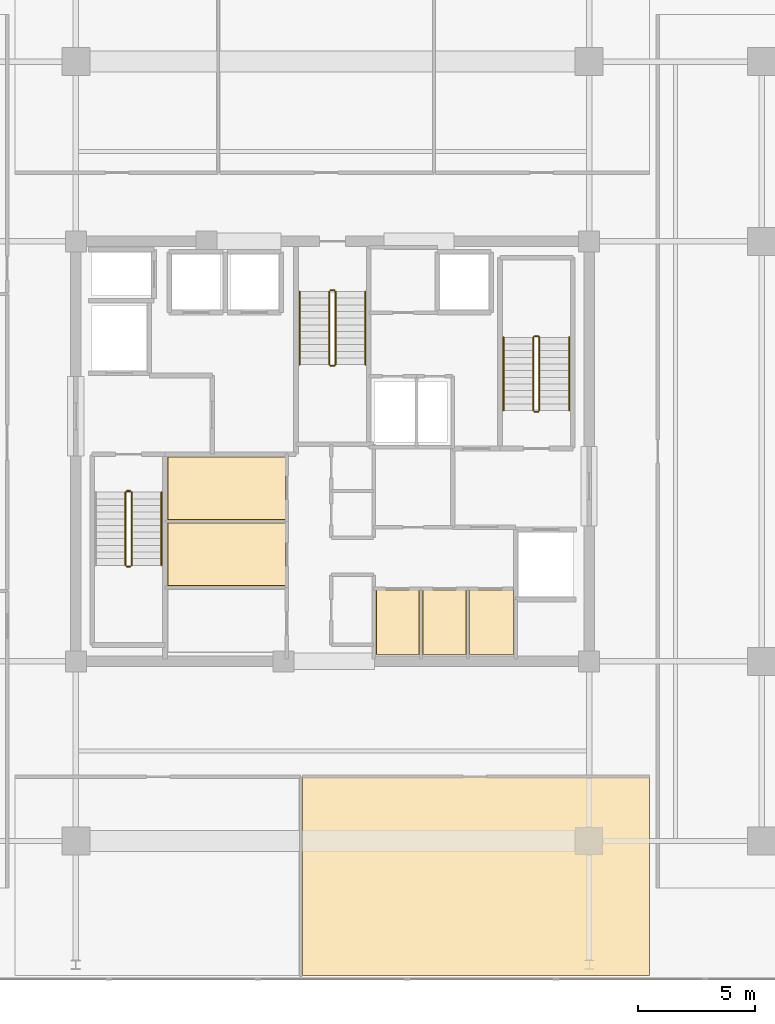
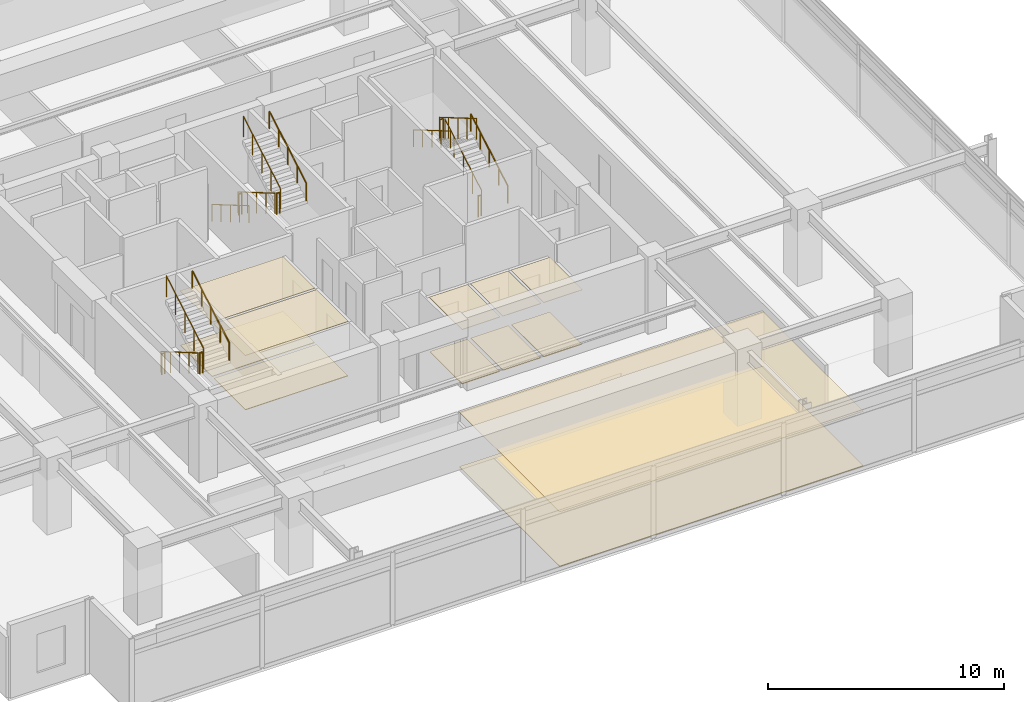
# One storey, part 20 of 21: 17 railings, 12 coverings.
"""IFC4 building model written with IfcOpenShell, lengths in metres."""

from ifc_helpers import new_model, si_unit, direction, frame, origin, origin_2d, place, context, subcontext, project, spatial, polyline, circle, outline, extrude, material, layer, layer_set, type_object, element, save


model = new_model("IFC4")

# Units and contexts
model_context = context("Model", 3, precision=1e-05, world=origin(), true_north=direction((0.0, 1.0)))
body_context = subcontext(model_context, "Body", "Model", "MODEL_VIEW")
ifc_project = project(units=[si_unit("LENGTHUNIT", "METRE"), si_unit("AREAUNIT", "SQUARE_METRE"), si_unit("VOLUMEUNIT", "CUBIC_METRE"), si_unit("PLANEANGLEUNIT", "RADIAN"), si_unit("MASSUNIT", "GRAM", prefix="KILO")], contexts=[model_context])

# Site, building, storey
site_placement = place(None, origin())
site = spatial("IfcSite", under=ifc_project, at=site_placement, CompositionType="ELEMENT")
building_placement = place(site_placement, origin())
building = spatial("IfcBuilding", under=site, at=building_placement, Name="Kovane Verandah Tower", CompositionType="ELEMENT")
storey_placement = place(building_placement, frame((0.0, 0.0, 247.199951171875)))
storey = spatial("IfcBuildingStorey", under=building, at=storey_placement, Name="L57", CompositionType="ELEMENT", Elevation=247.199951171875)

# Coverings
ifc_material_1 = material(Name="Perforated Acoustic Mineral-Fibre Ceiling Tile", Category="gypsum")
ifc_layer_1 = layer(ifc_material_1, 0.02490234375)
ifc_layer_set_1 = layer_set([ifc_layer_1], Name="Perforated Acoustic Mineral-Fibre Ceiling Tile")
covering_type_1 = type_object("IfcCoveringType", Name="CV-CEIL-25", PredefinedType="CEILING", material=ifc_layer_set_1)
covering_1_placement = place(storey_placement, frame((0.0, 0.0, 2.824951171875)))
element("IfcCovering", 1, at=covering_1_placement, inside=storey, type_object=covering_type_1, Name="L57 First Aid and Wellness Room Acoustic Ceiling", PredefinedType="CEILING", context=body_context, shape_type="SweptSolid", body=[
    extrude(outline(polyline([(32.93505859375, 21.72509765625), (37.9951171875, 21.72509765625), (37.9951171875, 24.43505859375), (32.93505859375, 24.43505859375), (32.93505859375, 21.72509765625)])), origin(), (0.0, 0.0, 1.0), 0.025146484375),
])
covering_2_placement = place(storey_placement, frame((0.0, 0.0, 2.824951171875)))
element("IfcCovering", 2, at=covering_2_placement, inside=storey, type_object=covering_type_1, Name="L57 Tea and Copy Hub Acoustic Ceiling", PredefinedType="CEILING", context=body_context, shape_type="SweptSolid", body=[
    extrude(outline(polyline([(32.93505859375, 24.56494140625), (37.9951171875, 24.56494140625), (37.9951171875, 27.264892578125), (32.93505859375, 27.264892578125), (32.93505859375, 24.56494140625)])), origin(), (0.0, 0.0, 1.0), 0.025146484375),
])
covering_3_placement = place(storey_placement, frame((0.0, 0.0, 2.824951171875)))
element("IfcCovering", 3, at=covering_3_placement, inside=storey, type_object=covering_type_1, Name="L57 Mail and Copy Room Acoustic Ceiling", PredefinedType="CEILING", context=body_context, shape_type="SweptSolid", body=[
    extrude(outline(polyline([(41.864990234375, 18.784912109375), (43.735107421875, 18.784912109375), (43.735107421875, 21.56494140625), (41.864990234375, 21.56494140625), (41.864990234375, 18.784912109375)])), origin(), (0.0, 0.0, 1.0), 0.025146484375),
])
covering_4_placement = place(storey_placement, frame((0.0, 0.0, 2.824951171875)))
element("IfcCovering", 4, at=covering_4_placement, inside=storey, type_object=covering_type_1, Name="L57 First Aid Room Acoustic Ceiling", PredefinedType="CEILING", context=body_context, shape_type="SweptSolid", body=[
    extrude(outline(polyline([(43.864990234375, 18.784912109375), (45.735107421875, 18.784912109375), (45.735107421875, 21.56494140625), (43.864990234375, 21.56494140625), (43.864990234375, 18.784912109375)])), origin(), (0.0, 0.0, 1.0), 0.025146484375),
])
covering_5_placement = place(storey_placement, frame((0.0, 0.0, 2.824951171875)))
element("IfcCovering", 5, at=covering_5_placement, inside=storey, type_object=covering_type_1, Name="L57 Quiet Wellness Room Acoustic Ceiling", PredefinedType="CEILING", context=body_context, shape_type="SweptSolid", body=[
    extrude(outline(polyline([(45.864990234375, 18.784912109375), (47.764892578125, 18.784912109375), (47.764892578125, 21.56494140625), (45.864990234375, 21.56494140625), (45.864990234375, 18.784912109375)])), origin(), (0.0, 0.0, 1.0), 0.025146484375),
])
covering_6_placement = place(storey_placement, frame((0.0, 0.0, 2.824951171875)))
element("IfcCovering", 6, at=covering_6_placement, inside=storey, type_object=covering_type_1, Name="L57 Open Plan Office S2 Acoustic Ceiling", PredefinedType="CEILING", context=body_context, shape_type="SweptSolid", body=[
    extrude(outline(polyline([(38.7099609375, 5.03173828125), (53.60009765625, 5.03173828125), (53.60009765625, 13.550048828125), (38.7099609375, 13.550048828125), (38.7099609375, 5.03173828125)])), origin(), (0.0, 0.0, 1.0), 0.025146484375),
])
ifc_material_2 = material(Name="Polished Terrazzo and Raised-Access Carpet Tile Finish", Category="concrete")
ifc_layer_2 = layer(ifc_material_2, 0.030029296875)
ifc_layer_set_2 = layer_set([ifc_layer_2], Name="Polished Terrazzo and Raised-Access Carpet Tile Finish")
covering_type_2 = type_object("IfcCoveringType", Name="CV-FLOR-30", PredefinedType="FLOORING", material=ifc_layer_set_2)
covering_7_placement = place(storey_placement, origin())
element("IfcCovering", 7, at=covering_7_placement, inside=storey, type_object=covering_type_2, Name="L57 First Aid and Wellness Room Floor Finish", PredefinedType="FLOORING", context=body_context, shape_type="SweptSolid", body=[
    extrude(outline(polyline([(32.949951171875, 21.739990234375), (37.97998046875, 21.739990234375), (37.97998046875, 24.419921875), (32.949951171875, 24.419921875), (32.949951171875, 21.739990234375)])), origin(), (0.0, 0.0, 1.0), 0.030029296875),
])
covering_8_placement = place(storey_placement, origin())
element("IfcCovering", 8, at=covering_8_placement, inside=storey, type_object=covering_type_2, Name="L57 Tea and Copy Hub Floor Finish", PredefinedType="FLOORING", context=body_context, shape_type="SweptSolid", body=[
    extrude(outline(polyline([(32.949951171875, 24.580078125), (37.97998046875, 24.580078125), (37.97998046875, 27.25), (32.949951171875, 27.25), (32.949951171875, 24.580078125)])), origin(), (0.0, 0.0, 1.0), 0.030029296875),
])
covering_9_placement = place(storey_placement, origin())
element("IfcCovering", 9, at=covering_9_placement, inside=storey, type_object=covering_type_2, Name="L57 Mail and Copy Room Floor Finish", PredefinedType="FLOORING", context=body_context, shape_type="SweptSolid", body=[
    extrude(outline(polyline([(41.8798828125, 18.800048828125), (43.719970703125, 18.800048828125), (43.719970703125, 21.550048828125), (41.8798828125, 21.550048828125), (41.8798828125, 18.800048828125)])), origin(), (0.0, 0.0, 1.0), 0.030029296875),
])
covering_10_placement = place(storey_placement, origin())
element("IfcCovering", 10, at=covering_10_placement, inside=storey, type_object=covering_type_2, Name="L57 First Aid Room Floor Finish", PredefinedType="FLOORING", context=body_context, shape_type="SweptSolid", body=[
    extrude(outline(polyline([(43.8798828125, 18.800048828125), (45.719970703125, 18.800048828125), (45.719970703125, 21.550048828125), (43.8798828125, 21.550048828125), (43.8798828125, 18.800048828125)])), origin(), (0.0, 0.0, 1.0), 0.030029296875),
])
covering_11_placement = place(storey_placement, origin())
element("IfcCovering", 11, at=covering_11_placement, inside=storey, type_object=covering_type_2, Name="L57 Quiet Wellness Room Floor Finish", PredefinedType="FLOORING", context=body_context, shape_type="SweptSolid", body=[
    extrude(outline(polyline([(45.8798828125, 18.800048828125), (47.75, 18.800048828125), (47.75, 21.550048828125), (45.8798828125, 21.550048828125), (45.8798828125, 18.800048828125)])), origin(), (0.0, 0.0, 1.0), 0.030029296875),
])
covering_12_placement = place(storey_placement, origin())
element("IfcCovering", 12, at=covering_12_placement, inside=storey, type_object=covering_type_2, Name="L57 Open Plan Office S2 Floor Finish", PredefinedType="FLOORING", context=body_context, shape_type="SweptSolid", body=[
    extrude(outline(polyline([(38.7099609375, 5.03173828125), (53.60009765625, 5.03173828125), (53.60009765625, 13.550048828125), (38.7099609375, 13.550048828125), (38.7099609375, 5.03173828125)])), origin(), (0.0, 0.0, 1.0), 0.030029296875),
])

# Railings
ifc_material_3 = material(Name="Brushed Stainless Steel Handrail", Category="steel")
railing_type_1 = type_object("IfcRailingType", Name="RL-HAND-920", PredefinedType="HANDRAIL", material=ifc_material_3)
for number, where, name in (
    (13, (32.669921875, 22.614990234375, 2.166748046875), "L57 ST-01 stair handrail 2"),
    (14, (50.14990234375, 29.25, 0.166748046875), "L57 ST-02 stair handrail 1"),
):
    element("IfcRailing", number, at=place(storey_placement, frame(where)), inside=storey, type_object=railing_type_1, Name=name, PredefinedType="HANDRAIL", context=body_context, shape_type="SweptSolid", body=[
        extrude(circle(Radius=0.02392578125, at=origin_2d()), frame((0.0, 0.0, 0.8759765625), z_axis=(0.0, 0.863239559939, 0.504794475164), x_axis=(-1.0, 0.0, 0.0)), (0.0, 0.0, 1.0), 3.631591796875),
        extrude(circle(Radius=0.02099609375, at=origin_2d()), origin(), (0.0, 0.0, 1.0), 0.851806640625),
        extrude(circle(Radius=0.02099609375, at=origin_2d()), frame((0.0, 0.78369140625, 0.458251953125)), (0.0, 0.0, 1.0), 0.851806640625),
        extrude(circle(Radius=0.02099609375, at=origin_2d()), frame((0.0, 1.5673828125, 0.91650390625)), (0.0, 0.0, 1.0), 0.851806640625),
        extrude(circle(Radius=0.02099609375, at=origin_2d()), frame((0.0, 2.351318359375, 1.375)), (0.0, 0.0, 1.0), 0.851806640625),
        extrude(circle(Radius=0.02099609375, at=origin_2d()), frame((0.0, 3.135009765625, 1.833251953125)), (0.0, 0.0, 1.0), 0.851806640625),
    ])
for number, where, name in (
    (15, (47.330078125, 32.385009765625, 2.166748046875), "L57 ST-02 stair handrail 2"),
    (16, (38.590087890625, 34.35009765625, 0.166748046875), "L57 ST-03 stair handrail 1"),
):
    element("IfcRailing", number, at=place(storey_placement, frame(where)), inside=storey, type_object=railing_type_1, Name=name, PredefinedType="HANDRAIL", context=body_context, shape_type="SweptSolid", body=[
        extrude(circle(Radius=0.02392578125, at=origin_2d()), frame((0.0, 0.0, 0.8759765625), z_axis=(0.0, -0.863239559939, 0.504794475164), x_axis=(1.0, 0.0, 0.0)), (0.0, 0.0, 1.0), 3.631591796875),
        extrude(circle(Radius=0.02099609375, at=origin_2d()), origin(), (0.0, 0.0, 1.0), 0.851806640625),
        extrude(circle(Radius=0.02099609375, at=origin_2d()), frame((0.0, -0.78369140625, 0.458251953125)), (0.0, 0.0, 1.0), 0.851806640625),
        extrude(circle(Radius=0.02099609375, at=origin_2d()), frame((0.0, -1.5673828125, 0.91650390625)), (0.0, 0.0, 1.0), 0.851806640625),
        extrude(circle(Radius=0.02099609375, at=origin_2d()), frame((0.0, -2.351318359375, 1.375)), (0.0, 0.0, 1.0), 0.851806640625),
        extrude(circle(Radius=0.02099609375, at=origin_2d()), frame((0.0, -3.135009765625, 1.833251953125)), (0.0, 0.0, 1.0), 0.851806640625),
    ])
railing_1_placement = place(storey_placement, frame((41.409912109375, 31.215087890625, 2.166748046875)))
element("IfcRailing", 17, at=railing_1_placement, inside=storey, type_object=railing_type_1, Name="L57 ST-03 stair handrail 2", PredefinedType="HANDRAIL", context=body_context, shape_type="SweptSolid", body=[
    extrude(circle(Radius=0.02392578125, at=origin_2d()), frame((0.0, 0.0, 0.8759765625), z_axis=(0.0, 0.863239559939, 0.504794475164), x_axis=(-1.0, 0.0, 0.0)), (0.0, 0.0, 1.0), 3.631591796875),
    extrude(circle(Radius=0.02099609375, at=origin_2d()), origin(), (0.0, 0.0, 1.0), 0.851806640625),
    extrude(circle(Radius=0.02099609375, at=origin_2d()), frame((0.0, 0.78369140625, 0.458251953125)), (0.0, 0.0, 1.0), 0.851806640625),
    extrude(circle(Radius=0.02099609375, at=origin_2d()), frame((0.0, 1.5673828125, 0.91650390625)), (0.0, 0.0, 1.0), 0.851806640625),
    extrude(circle(Radius=0.02099609375, at=origin_2d()), frame((0.0, 2.351318359375, 1.375)), (0.0, 0.0, 1.0), 0.851806640625),
    extrude(circle(Radius=0.02099609375, at=origin_2d()), frame((0.0, 3.135009765625, 1.833251953125)), (0.0, 0.0, 1.0), 0.851806640625),
])
ifc_material_4 = material(Name="Painted Steel Stairwell Guardrail", Category="steel")
railing_type_2 = type_object("IfcRailingType", Name="RL-STGUARD-1120", PredefinedType="GUARDRAIL", material=ifc_material_4)
railing_2_placement = place(storey_placement, frame((31.1298828125, 25.75, 0.166748046875)))
element("IfcRailing", 18, at=railing_2_placement, inside=storey, type_object=railing_type_2, Name="L57 ST-01 stair guard 1", PredefinedType="GUARDRAIL", context=body_context, shape_type="SweptSolid", body=[
    extrude(circle(Radius=0.02392578125, at=origin_2d()), frame((0.0, 0.0, 1.076171875), z_axis=(0.0, -0.863239559939, 0.504794475164), x_axis=(1.0, 0.0, 0.0)), (0.0, 0.0, 1.0), 3.631591796875),
    extrude(circle(Radius=0.02099609375, at=origin_2d()), origin(), (0.0, 0.0, 1.0), 1.052001953125),
    extrude(circle(Radius=0.02099609375, at=origin_2d()), frame((0.0, -0.78369140625, 0.458251953125)), (0.0, 0.0, 1.0), 1.052001953125),
    extrude(circle(Radius=0.02099609375, at=origin_2d()), frame((0.0, -1.5673828125, 0.91650390625)), (0.0, 0.0, 1.0), 1.052001953125),
    extrude(circle(Radius=0.02099609375, at=origin_2d()), frame((0.0, -2.351318359375, 1.375)), (0.0, 0.0, 1.0), 1.052001953125),
    extrude(circle(Radius=0.02099609375, at=origin_2d()), frame((0.0, -3.135009765625, 1.833251953125)), (0.0, 0.0, 1.0), 1.052001953125),
])
railing_3_placement = place(storey_placement, frame((31.179931640625, 22.56494140625, 2.0)))
element("IfcRailing", 19, at=railing_3_placement, inside=storey, type_object=railing_type_2, Name="L57 ST-01 stair guard 2", PredefinedType="GUARDRAIL", context=body_context, shape_type="SweptSolid", body=[
    extrude(circle(Radius=0.02392578125, at=origin_2d()), frame((0.0, 0.0, 1.076171875), z_axis=(1.0, 0.0, 0.0), x_axis=(0.0, 1.0, 0.0)), (0.0, 0.0, 1.0), 0.16015625),
    extrude(circle(Radius=0.02099609375, at=origin_2d()), origin(), (0.0, 0.0, 1.0), 1.052001953125),
    extrude(circle(Radius=0.02099609375, at=origin_2d()), frame((0.16015625, 0.0, 0.0)), (0.0, 0.0, 1.0), 1.052001953125),
])
railing_4_placement = place(storey_placement, frame((31.389892578125, 22.614990234375, 2.166748046875)))
element("IfcRailing", 20, at=railing_4_placement, inside=storey, type_object=railing_type_2, Name="L57 ST-01 stair guard 3", PredefinedType="GUARDRAIL", context=body_context, shape_type="SweptSolid", body=[
    extrude(circle(Radius=0.02392578125, at=origin_2d()), frame((0.0, 0.0, 1.076171875), z_axis=(0.0, 0.863239559939, 0.504794475164), x_axis=(-1.0, 0.0, 0.0)), (0.0, 0.0, 1.0), 3.631591796875),
    extrude(circle(Radius=0.02099609375, at=origin_2d()), origin(), (0.0, 0.0, 1.0), 1.052001953125),
    extrude(circle(Radius=0.02099609375, at=origin_2d()), frame((0.0, 0.78369140625, 0.458251953125)), (0.0, 0.0, 1.0), 1.052001953125),
    extrude(circle(Radius=0.02099609375, at=origin_2d()), frame((0.0, 1.5673828125, 0.91650390625)), (0.0, 0.0, 1.0), 1.052001953125),
    extrude(circle(Radius=0.02099609375, at=origin_2d()), frame((0.0, 2.351318359375, 1.375)), (0.0, 0.0, 1.0), 1.052001953125),
    extrude(circle(Radius=0.02099609375, at=origin_2d()), frame((0.0, 3.135009765625, 1.833251953125)), (0.0, 0.0, 1.0), 1.052001953125),
])
railing_5_placement = place(storey_placement, frame((31.179931640625, 25.800048828125, 0.0)))
element("IfcRailing", 21, at=railing_5_placement, inside=storey, type_object=railing_type_2, Name="L57 ST-01 stair guard 4", PredefinedType="GUARDRAIL", context=body_context, shape_type="SweptSolid", body=[
    extrude(circle(Radius=0.02392578125, at=origin_2d()), frame((0.0, 0.0, 1.076171875), z_axis=(1.0, 0.0, 0.0), x_axis=(0.0, 1.0, 0.0)), (0.0, 0.0, 1.0), 0.16015625),
    extrude(circle(Radius=0.02099609375, at=origin_2d()), origin(), (0.0, 0.0, 1.0), 1.052001953125),
    extrude(circle(Radius=0.02099609375, at=origin_2d()), frame((0.16015625, 0.0, 0.0)), (0.0, 0.0, 1.0), 1.052001953125),
])
railing_6_placement = place(storey_placement, frame((48.8701171875, 29.25, 0.166748046875)))
element("IfcRailing", 22, at=railing_6_placement, inside=storey, type_object=railing_type_2, Name="L57 ST-02 stair guard 1", PredefinedType="GUARDRAIL", context=body_context, shape_type="SweptSolid", body=[
    extrude(circle(Radius=0.02392578125, at=origin_2d()), frame((0.0, 0.0, 1.076171875), z_axis=(0.0, 0.863239559939, 0.504794475164), x_axis=(-1.0, 0.0, 0.0)), (0.0, 0.0, 1.0), 3.631591796875),
    extrude(circle(Radius=0.02099609375, at=origin_2d()), origin(), (0.0, 0.0, 1.0), 1.052001953125),
    extrude(circle(Radius=0.02099609375, at=origin_2d()), frame((0.0, 0.78369140625, 0.458251953125)), (0.0, 0.0, 1.0), 1.052001953125),
    extrude(circle(Radius=0.02099609375, at=origin_2d()), frame((0.0, 1.5673828125, 0.91650390625)), (0.0, 0.0, 1.0), 1.052001953125),
    extrude(circle(Radius=0.02099609375, at=origin_2d()), frame((0.0, 2.351318359375, 1.375)), (0.0, 0.0, 1.0), 1.052001953125),
    extrude(circle(Radius=0.02099609375, at=origin_2d()), frame((0.0, 3.135009765625, 1.833251953125)), (0.0, 0.0, 1.0), 1.052001953125),
])
railing_7_placement = place(storey_placement, frame((48.820068359375, 32.43505859375, 2.0)))
element("IfcRailing", 23, at=railing_7_placement, inside=storey, type_object=railing_type_2, Name="L57 ST-02 stair guard 2", PredefinedType="GUARDRAIL", context=body_context, shape_type="SweptSolid", body=[
    extrude(circle(Radius=0.02392578125, at=origin_2d()), frame((0.0, 0.0, 1.076171875), z_axis=(-1.0, 0.0, 0.0), x_axis=(0.0, -1.0, 0.0)), (0.0, 0.0, 1.0), 0.16015625),
    extrude(circle(Radius=0.02099609375, at=origin_2d()), origin(), (0.0, 0.0, 1.0), 1.052001953125),
    extrude(circle(Radius=0.02099609375, at=origin_2d()), frame((-0.16015625, 0.0, 0.0)), (0.0, 0.0, 1.0), 1.052001953125),
])
railing_8_placement = place(storey_placement, frame((48.610107421875, 32.385009765625, 2.166748046875)))
element("IfcRailing", 24, at=railing_8_placement, inside=storey, type_object=railing_type_2, Name="L57 ST-02 stair guard 3", PredefinedType="GUARDRAIL", context=body_context, shape_type="SweptSolid", body=[
    extrude(circle(Radius=0.02392578125, at=origin_2d()), frame((0.0, 0.0, 1.076171875), z_axis=(0.0, -0.863239559939, 0.504794475164), x_axis=(1.0, 0.0, 0.0)), (0.0, 0.0, 1.0), 3.631591796875),
    extrude(circle(Radius=0.02099609375, at=origin_2d()), origin(), (0.0, 0.0, 1.0), 1.052001953125),
    extrude(circle(Radius=0.02099609375, at=origin_2d()), frame((0.0, -0.78369140625, 0.458251953125)), (0.0, 0.0, 1.0), 1.052001953125),
    extrude(circle(Radius=0.02099609375, at=origin_2d()), frame((0.0, -1.5673828125, 0.91650390625)), (0.0, 0.0, 1.0), 1.052001953125),
    extrude(circle(Radius=0.02099609375, at=origin_2d()), frame((0.0, -2.351318359375, 1.375)), (0.0, 0.0, 1.0), 1.052001953125),
    extrude(circle(Radius=0.02099609375, at=origin_2d()), frame((0.0, -3.135009765625, 1.833251953125)), (0.0, 0.0, 1.0), 1.052001953125),
])
railing_9_placement = place(storey_placement, frame((48.820068359375, 29.199951171875, 0.0)))
element("IfcRailing", 25, at=railing_9_placement, inside=storey, type_object=railing_type_2, Name="L57 ST-02 stair guard 4", PredefinedType="GUARDRAIL", context=body_context, shape_type="SweptSolid", body=[
    extrude(circle(Radius=0.02392578125, at=origin_2d()), frame((0.0, 0.0, 1.076171875), z_axis=(-1.0, 0.0, 0.0), x_axis=(0.0, -1.0, 0.0)), (0.0, 0.0, 1.0), 0.16015625),
    extrude(circle(Radius=0.02099609375, at=origin_2d()), origin(), (0.0, 0.0, 1.0), 1.052001953125),
    extrude(circle(Radius=0.02099609375, at=origin_2d()), frame((-0.16015625, 0.0, 0.0)), (0.0, 0.0, 1.0), 1.052001953125),
])
railing_10_placement = place(storey_placement, frame((39.8701171875, 34.35009765625, 0.166748046875)))
element("IfcRailing", 26, at=railing_10_placement, inside=storey, type_object=railing_type_2, Name="L57 ST-03 stair guard 1", PredefinedType="GUARDRAIL", context=body_context, shape_type="SweptSolid", body=[
    extrude(circle(Radius=0.02392578125, at=origin_2d()), frame((0.0, 0.0, 1.076171875), z_axis=(0.0, -0.863239559939, 0.504794475164), x_axis=(1.0, 0.0, 0.0)), (0.0, 0.0, 1.0), 3.631591796875),
    extrude(circle(Radius=0.02099609375, at=origin_2d()), origin(), (0.0, 0.0, 1.0), 1.052001953125),
    extrude(circle(Radius=0.02099609375, at=origin_2d()), frame((0.0, -0.78369140625, 0.458251953125)), (0.0, 0.0, 1.0), 1.052001953125),
    extrude(circle(Radius=0.02099609375, at=origin_2d()), frame((0.0, -1.5673828125, 0.91650390625)), (0.0, 0.0, 1.0), 1.052001953125),
    extrude(circle(Radius=0.02099609375, at=origin_2d()), frame((0.0, -2.351318359375, 1.375)), (0.0, 0.0, 1.0), 1.052001953125),
    extrude(circle(Radius=0.02099609375, at=origin_2d()), frame((0.0, -3.135009765625, 1.833251953125)), (0.0, 0.0, 1.0), 1.052001953125),
])
railing_11_placement = place(storey_placement, frame((39.919921875, 31.1650390625, 2.0)))
element("IfcRailing", 27, at=railing_11_placement, inside=storey, type_object=railing_type_2, Name="L57 ST-03 stair guard 2", PredefinedType="GUARDRAIL", context=body_context, shape_type="SweptSolid", body=[
    extrude(circle(Radius=0.02392578125, at=origin_2d()), frame((0.0, 0.0, 1.076171875), z_axis=(1.0, 0.0, 0.0), x_axis=(0.0, 1.0, 0.0)), (0.0, 0.0, 1.0), 0.16015625),
    extrude(circle(Radius=0.02099609375, at=origin_2d()), origin(), (0.0, 0.0, 1.0), 1.052001953125),
    extrude(circle(Radius=0.02099609375, at=origin_2d()), frame((0.16015625, 0.0, 0.0)), (0.0, 0.0, 1.0), 1.052001953125),
])
railing_12_placement = place(storey_placement, frame((40.1298828125, 31.215087890625, 2.166748046875)))
element("IfcRailing", 28, at=railing_12_placement, inside=storey, type_object=railing_type_2, Name="L57 ST-03 stair guard 3", PredefinedType="GUARDRAIL", context=body_context, shape_type="SweptSolid", body=[
    extrude(circle(Radius=0.02392578125, at=origin_2d()), frame((0.0, 0.0, 1.076171875), z_axis=(0.0, 0.863239559939, 0.504794475164), x_axis=(-1.0, 0.0, 0.0)), (0.0, 0.0, 1.0), 3.631591796875),
    extrude(circle(Radius=0.02099609375, at=origin_2d()), origin(), (0.0, 0.0, 1.0), 1.052001953125),
    extrude(circle(Radius=0.02099609375, at=origin_2d()), frame((0.0, 0.78369140625, 0.458251953125)), (0.0, 0.0, 1.0), 1.052001953125),
    extrude(circle(Radius=0.02099609375, at=origin_2d()), frame((0.0, 1.5673828125, 0.91650390625)), (0.0, 0.0, 1.0), 1.052001953125),
    extrude(circle(Radius=0.02099609375, at=origin_2d()), frame((0.0, 2.351318359375, 1.375)), (0.0, 0.0, 1.0), 1.052001953125),
    extrude(circle(Radius=0.02099609375, at=origin_2d()), frame((0.0, 3.135009765625, 1.833251953125)), (0.0, 0.0, 1.0), 1.052001953125),
])
railing_13_placement = place(storey_placement, frame((39.919921875, 34.39990234375, 0.0)))
element("IfcRailing", 29, at=railing_13_placement, inside=storey, type_object=railing_type_2, Name="L57 ST-03 stair guard 4", PredefinedType="GUARDRAIL", context=body_context, shape_type="SweptSolid", body=[
    extrude(circle(Radius=0.02392578125, at=origin_2d()), frame((0.0, 0.0, 1.076171875), z_axis=(1.0, 0.0, 0.0), x_axis=(0.0, 1.0, 0.0)), (0.0, 0.0, 1.0), 0.16015625),
    extrude(circle(Radius=0.02099609375, at=origin_2d()), origin(), (0.0, 0.0, 1.0), 1.052001953125),
    extrude(circle(Radius=0.02099609375, at=origin_2d()), frame((0.16015625, 0.0, 0.0)), (0.0, 0.0, 1.0), 1.052001953125),
])

save(model, "model.ifc")
